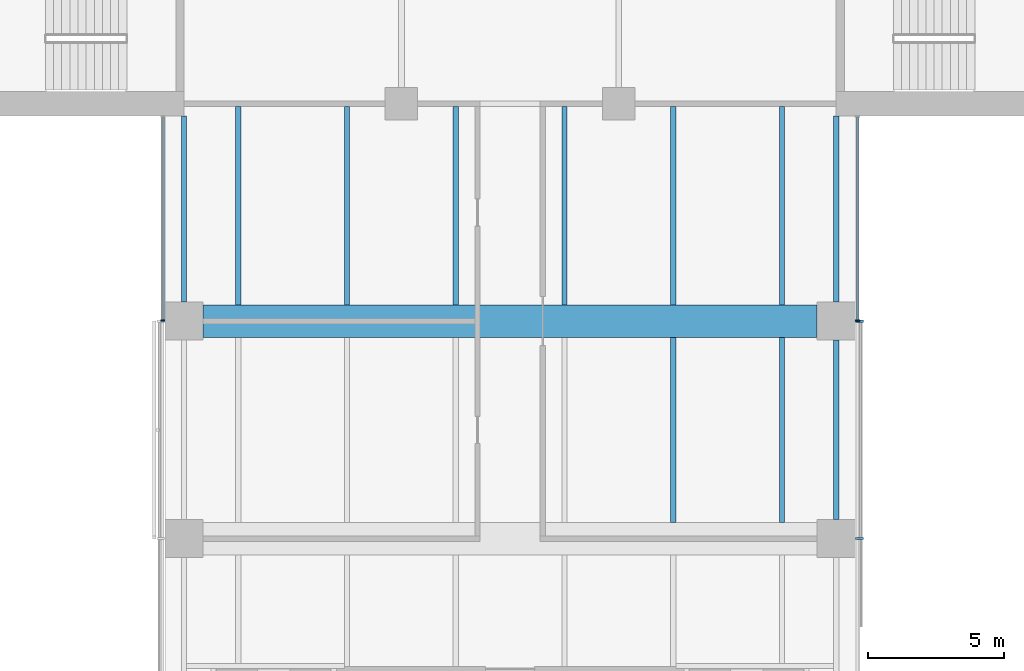
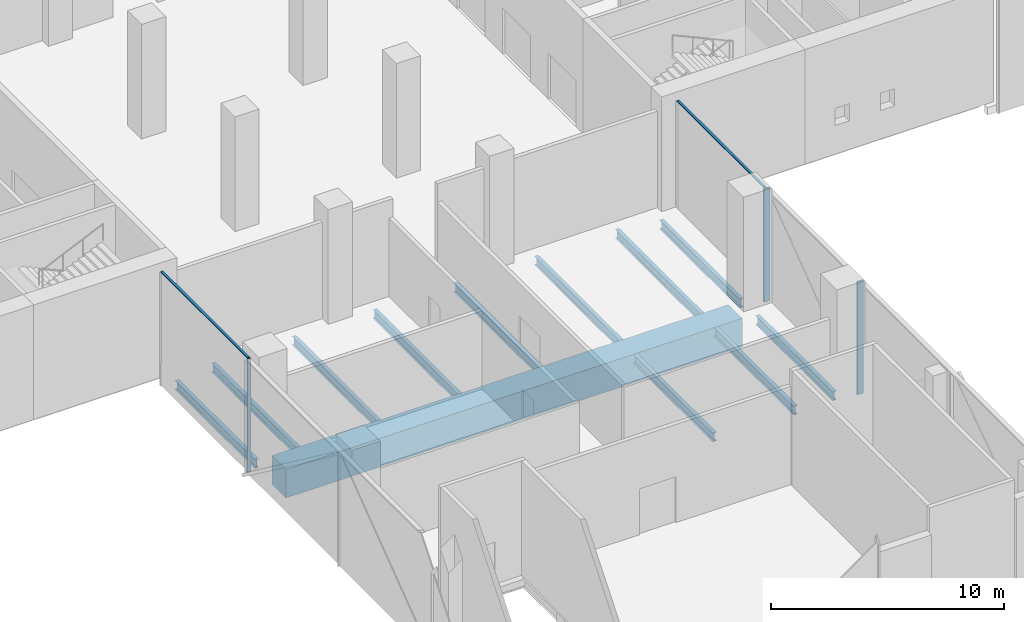
# One storey, part 3 of 23: 12 beams, 6 members, 3 elements without a shape of their own.
"""IFC4 building model written with IfcOpenShell, lengths in metres."""

from ifc_helpers import new_model, si_unit, direction, frame, origin, origin_2d, place, context, subcontext, project, spatial, rectangle, i_section, extrude, material, material_profile, profile_set, type_object, element, aggregate, save


model = new_model("IFC4")

# Units and contexts
model_context = context("Model", 3, precision=1e-05, world=origin(), true_north=direction((0.0, 1.0)))
body_context = subcontext(model_context, "Body", "Model", "MODEL_VIEW")
ifc_project = project(units=[si_unit("LENGTHUNIT", "METRE"), si_unit("AREAUNIT", "SQUARE_METRE"), si_unit("VOLUMEUNIT", "CUBIC_METRE"), si_unit("PLANEANGLEUNIT", "RADIAN"), si_unit("MASSUNIT", "GRAM", prefix="KILO")], contexts=[model_context])

# Site, building, storey
site_placement = place(None, origin())
site = spatial("IfcSite", under=ifc_project, at=site_placement, CompositionType="ELEMENT")
building_placement = place(site_placement, origin())
building = spatial("IfcBuilding", under=site, at=building_placement, Name="Crosswind Convention Tower", CompositionType="ELEMENT")
storey_placement = place(building_placement, frame((0.0, 0.0, 41.5)))
storey = spatial("IfcBuildingStorey", under=building, at=storey_placement, Name="L05", CompositionType="ELEMENT", Elevation=41.5)

# Beams
ifc_material_1 = material(Name="Steel S355", Category="steel")
ifc_material_profile_1 = material_profile(ifc_material_1, i_section(OverallWidth=0.19287109375, OverallDepth=0.467529296875, WebThickness=0.011474609375, FlangeThickness=0.01953125, FilletRadius=0.01025390625, at=origin_2d()), Name="UB 457x191x98")
ifc_profile_set_1 = profile_set([ifc_material_profile_1], Name="Steel S355")
beam_type_1 = type_object("IfcBeamType", Name="Edge beam UB 457x191x98", PredefinedType="SPANDREL", material=ifc_profile_set_1)
beam_1_placement = place(storey_placement, frame((113.0, 80.699951171875, -0.6337890625), z_axis=(0.0, 1.0, 0.0), x_axis=(-1.0, 0.0, 0.0)))
element("IfcBeam", 1, at=beam_1_placement, inside=storey, type_object=beam_type_1, Name="B20 L05 edge beam 8", PredefinedType="SPANDREL", context=body_context, shape_type="SweptSolid", body=[
    extrude(i_section(OverallWidth=0.19287109375, OverallDepth=0.467529296875, WebThickness=0.011474609375, FlangeThickness=0.01953125, FilletRadius=0.01025390625, at=origin_2d()), origin(), (0.0, 0.0, 1.0), 6.85009765625),
])
beam_2_placement = place(storey_placement, frame((137.0, 72.699951171875, -0.6337890625), z_axis=(0.0, 1.0, 0.0), x_axis=(-1.0, 0.0, 0.0)))
element("IfcBeam", 2, at=beam_2_placement, inside=storey, type_object=beam_type_1, Name="B20 L05 edge beam 15", PredefinedType="SPANDREL", context=body_context, shape_type="SweptSolid", body=[
    extrude(i_section(OverallWidth=0.19287109375, OverallDepth=0.467529296875, WebThickness=0.011474609375, FlangeThickness=0.01953125, FilletRadius=0.01025390625, at=origin_2d()), origin(), (0.0, 0.0, 1.0), 6.60009765625),
])
beam_3_placement = place(storey_placement, frame((137.0, 80.699951171875, -0.6337890625), z_axis=(0.0, 1.0, 0.0), x_axis=(-1.0, 0.0, 0.0)))
element("IfcBeam", 3, at=beam_3_placement, inside=storey, type_object=beam_type_1, Name="B20 L05 edge beam 16", PredefinedType="SPANDREL", context=body_context, shape_type="SweptSolid", body=[
    extrude(i_section(OverallWidth=0.19287109375, OverallDepth=0.467529296875, WebThickness=0.011474609375, FlangeThickness=0.01953125, FilletRadius=0.01025390625, at=origin_2d()), origin(), (0.0, 0.0, 1.0), 6.85009765625),
])

# Curtain wall, member
ifc_material_2 = material(Name="Aluminium unitised curtain wall", Category="aluminium")
curtain_wall_type_1 = type_object("IfcCurtainWallType", Name="CORE END SLOT WALL 160", PredefinedType="USERDEFINED", material=ifc_material_2)
curtain_wall_1_placement = place(storey_placement, origin())
curtain_wall_1 = element("IfcCurtainWall", 4, at=curtain_wall_1_placement, inside=storey, type_object=curtain_wall_type_1, Name="CW6 L05 S-W.1-1 slot", ObjectType="UNITISED", PredefinedType="USERDEFINED")
ifc_material_3 = material(Name="Aluminium mullion", Category="aluminium")
ifc_material_profile_2 = material_profile(ifc_material_3, rectangle(XDim=0.159912109375, YDim=0.050048828125, at=origin_2d()), Name="AL 160X50")
ifc_profile_set_2 = profile_set([ifc_material_profile_2], Name="Aluminium mullion")
member_type_1 = type_object("IfcMemberType", Name="MULLION 50X160", PredefinedType="MULLION", material=ifc_profile_set_2)
member_1_placement = place(storey_placement, frame((112.219970703125, 80.02490234375, -0.39990234375), z_axis=(0.0, 0.0, 1.0), x_axis=(-1.0, 0.0, 0.0)))
member_1 = element("IfcMember", 5, at=member_1_placement, type_object=member_type_1, Name="CW6 mullion 2", PredefinedType="MULLION", context=body_context, shape_type="SweptSolid", body=[
    extrude(rectangle(XDim=0.159912109375, YDim=0.050048828125, at=origin_2d()), origin(), (0.0, 0.0, 1.0), 5.949951171875),
])

curtain_wall_2_placement = place(storey_placement, origin())
curtain_wall_2 = element("IfcCurtainWall", 6, at=curtain_wall_2_placement, inside=storey, type_object=curtain_wall_type_1, Name="CW6 L05 S-E.1-4 slot", ObjectType="UNITISED", PredefinedType="USERDEFINED")
member_2_placement = place(storey_placement, frame((137.780029296875, 80.02490234375, -0.39990234375), z_axis=(0.0, 0.0, 1.0), x_axis=(1.0, 0.0, 0.0)))
member_2 = element("IfcMember", 7, at=member_2_placement, type_object=member_type_1, Name="CW6 mullion 1", PredefinedType="MULLION", context=body_context, shape_type="SweptSolid", body=[
    extrude(rectangle(XDim=0.159912109375, YDim=0.050048828125, at=origin_2d()), origin(), (0.0, 0.0, 1.0), 5.949951171875),
])

# Curtain wall, members
curtain_wall_type_2 = type_object("IfcCurtainWallType", Name="PODIUM UNITISED WALL 300", PredefinedType="USERDEFINED", material=ifc_material_2)
curtain_wall_3_placement = place(storey_placement, origin())
curtain_wall_3 = element("IfcCurtainWall", 8, at=curtain_wall_3_placement, inside=storey, type_object=curtain_wall_type_2, Name="CW1 L05 S-E 1", ObjectType="UNITISED", PredefinedType="USERDEFINED")
ifc_material_profile_3 = material_profile(ifc_material_3, rectangle(XDim=0.300048828125, YDim=0.080078125, at=origin_2d()), Name="AL 300X80")
ifc_profile_set_3 = profile_set([ifc_material_profile_3], Name="Aluminium mullion")
member_type_2 = type_object("IfcMemberType", Name="MULLION 80X300", PredefinedType="MULLION", material=ifc_profile_set_3)
member_3_placement = place(storey_placement, frame((137.85009765625, 72.0, -0.39990234375), z_axis=(0.0, 0.0, 1.0), x_axis=(1.0, 0.0, 0.0)))
member_3 = element("IfcMember", 9, at=member_3_placement, type_object=member_type_2, Name="CW1 mullion 3", PredefinedType="MULLION", context=body_context, shape_type="SweptSolid", body=[
    extrude(rectangle(XDim=0.300048828125, YDim=0.080078125, at=origin_2d()), origin(), (0.0, 0.0, 1.0), 5.919921875),
])
member_4_placement = place(storey_placement, frame((137.85009765625, 80.0, -0.39990234375), z_axis=(0.0, 0.0, 1.0), x_axis=(1.0, 0.0, 0.0)))
member_4 = element("IfcMember", 10, at=member_4_placement, type_object=member_type_2, Name="CW1 mullion 4", PredefinedType="MULLION", context=body_context, shape_type="SweptSolid", body=[
    extrude(rectangle(XDim=0.300048828125, YDim=0.080078125, at=origin_2d()), origin(), (0.0, 0.0, 1.0), 5.919921875),
])
aggregate(curtain_wall_3, [member_3, member_4])

# Beams
ifc_material_4 = material(Name="Concrete C70/85", Category="concrete")
ifc_material_profile_4 = material_profile(ifc_material_4, rectangle(XDim=1.199951171875, YDim=1.5, at=origin_2d()), Name="RC 1200X1500")
ifc_profile_set_4 = profile_set([ifc_material_profile_4], Name="Concrete C70/85")
beam_type_2 = type_object("IfcBeamType", Name="Prestressed concrete girder RC 1200X1500", PredefinedType="BEAM", material=ifc_profile_set_4)
beam_4_placement = place(storey_placement, frame((113.699951171875, 80.0, -1.14990234375), z_axis=(1.0, 0.0, 0.0), x_axis=(0.0, 1.0, 0.0)))
element("IfcBeam", 11, at=beam_4_placement, inside=storey, type_object=beam_type_2, Name="B39 L05 prestressed concrete girder 2", PredefinedType="BEAM", context=body_context, shape_type="SweptSolid", body=[
    extrude(rectangle(XDim=1.199951171875, YDim=1.5, at=origin_2d()), origin(), (0.0, 0.0, 1.0), 22.60009765625),
])
ifc_material_profile_5 = material_profile(ifc_material_1, i_section(OverallWidth=0.19140625, OverallDepth=0.460205078125, WebThickness=0.010009765625, FlangeThickness=0.01611328125, FilletRadius=0.01025390625, at=origin_2d()), Name="UB 457x191x82")
ifc_profile_set_5 = profile_set([ifc_material_profile_5], Name="Steel S355")
beam_type_3 = type_object("IfcBeamType", Name="Secondary beam UB 457x191x82", PredefinedType="JOIST", material=ifc_profile_set_5)
for number, where, z_axis, x_axis, name in (
    (12, (115.0, 80.60009765625, -0.630126953125), (0.0, 1.0, 0.0), (-1.0, 0.0, 0.0), "B13 L05 secondary beam 16"),
    (13, (119.0, 80.60009765625, -0.630126953125), (0.0, 1.0, 0.0), (-1.0, 0.0, 0.0), "B13 L05 secondary beam 23"),
):
    element("IfcBeam", number, at=place(storey_placement, frame(where, z_axis=z_axis, x_axis=x_axis)), inside=storey, type_object=beam_type_3, Name=name, PredefinedType="JOIST", context=body_context, shape_type="SweptSolid", body=[
        extrude(i_section(OverallWidth=0.19140625, OverallDepth=0.460205078125, WebThickness=0.010009765625, FlangeThickness=0.01611328125, FilletRadius=0.01025390625, at=origin_2d()), origin(), (0.0, 0.0, 1.0), 7.29296875),
    ])
for number, where, z_axis, x_axis, name in (
    (14, (123.0, 80.60009765625, -0.630126953125), (0.0, 1.0, 0.0), (-1.0, 0.0, 0.0), "B13 L05 secondary beam 34"),
    (15, (127.0, 80.60009765625, -0.630126953125), (0.0, 1.0, 0.0), (-1.0, 0.0, 0.0), "B13 L05 secondary beam 42"),
):
    element("IfcBeam", number, at=place(storey_placement, frame(where, z_axis=z_axis, x_axis=x_axis)), inside=storey, type_object=beam_type_3, Name=name, PredefinedType="JOIST", context=body_context, shape_type="SweptSolid", body=[
        extrude(i_section(OverallWidth=0.19140625, OverallDepth=0.460205078125, WebThickness=0.010009765625, FlangeThickness=0.01611328125, FilletRadius=0.01025390625, at=origin_2d()), origin(), (0.0, 0.0, 1.0), 7.2939453125),
    ])
beam_5_placement = place(storey_placement, frame((131.0, 72.60009765625, -0.630126953125), z_axis=(0.0, 1.0, 0.0), x_axis=(-1.0, 0.0, 0.0)))
element("IfcBeam", 16, at=beam_5_placement, inside=storey, type_object=beam_type_3, Name="B13 L05 secondary beam 52", PredefinedType="JOIST", context=body_context, shape_type="SweptSolid", body=[
    extrude(i_section(OverallWidth=0.19140625, OverallDepth=0.460205078125, WebThickness=0.010009765625, FlangeThickness=0.01611328125, FilletRadius=0.01025390625, at=origin_2d()), origin(), (0.0, 0.0, 1.0), 6.7998046875),
])
beam_6_placement = place(storey_placement, frame((131.0, 80.60009765625, -0.630126953125), z_axis=(0.0, 1.0, 0.0), x_axis=(-1.0, 0.0, 0.0)))
element("IfcBeam", 17, at=beam_6_placement, inside=storey, type_object=beam_type_3, Name="B13 L05 secondary beam 53", PredefinedType="JOIST", context=body_context, shape_type="SweptSolid", body=[
    extrude(i_section(OverallWidth=0.19140625, OverallDepth=0.460205078125, WebThickness=0.010009765625, FlangeThickness=0.01611328125, FilletRadius=0.01025390625, at=origin_2d()), origin(), (0.0, 0.0, 1.0), 7.29296875),
])
beam_7_placement = place(storey_placement, frame((135.0, 72.60009765625, -0.630126953125), z_axis=(0.0, 1.0, 0.0), x_axis=(-1.0, 0.0, 0.0)))
element("IfcBeam", 18, at=beam_7_placement, inside=storey, type_object=beam_type_3, Name="B13 L05 secondary beam 59", PredefinedType="JOIST", context=body_context, shape_type="SweptSolid", body=[
    extrude(i_section(OverallWidth=0.19140625, OverallDepth=0.460205078125, WebThickness=0.010009765625, FlangeThickness=0.01611328125, FilletRadius=0.01025390625, at=origin_2d()), origin(), (0.0, 0.0, 1.0), 6.7998046875),
])
beam_8_placement = place(storey_placement, frame((135.0, 80.60009765625, -0.630126953125), z_axis=(0.0, 1.0, 0.0), x_axis=(-1.0, 0.0, 0.0)))
element("IfcBeam", 19, at=beam_8_placement, inside=storey, type_object=beam_type_3, Name="B13 L05 secondary beam 60", PredefinedType="JOIST", context=body_context, shape_type="SweptSolid", body=[
    extrude(i_section(OverallWidth=0.19140625, OverallDepth=0.460205078125, WebThickness=0.010009765625, FlangeThickness=0.01611328125, FilletRadius=0.01025390625, at=origin_2d()), origin(), (0.0, 0.0, 1.0), 7.29296875),
])

# Member
ifc_material_5 = material(Name="Aluminium transom", Category="aluminium")
ifc_material_profile_6 = material_profile(ifc_material_5, rectangle(XDim=0.1201171875, YDim=0.050048828125, at=origin_2d()), Name="AL 120X50")
ifc_profile_set_6 = profile_set([ifc_material_profile_6], Name="Aluminium transom")
member_type_3 = type_object("IfcMemberType", Name="TRANSOM 50X120", PredefinedType="USERDEFINED", material=ifc_profile_set_6)
member_5_placement = place(storey_placement, frame((112.219970703125, 87.5, 5.574951171875), z_axis=(0.0, -1.0, 0.0), x_axis=(1.0, 0.0, 0.0)))
member_5 = element("IfcMember", 20, at=member_5_placement, type_object=member_type_3, Name="CW6 transom", ObjectType="TRANSOM", PredefinedType="USERDEFINED", context=body_context, shape_type="SweptSolid", body=[
    extrude(rectangle(XDim=0.1201171875, YDim=0.050048828125, at=origin_2d()), origin(), (0.0, 0.0, 1.0), 7.449951171875),
])

aggregate(curtain_wall_1, [member_1, member_5])

member_6_placement = place(storey_placement, frame((137.780029296875, 80.050048828125, 5.574951171875), z_axis=(0.0, 1.0, 0.0), x_axis=(-1.0, 0.0, 0.0)))
member_6 = element("IfcMember", 21, at=member_6_placement, type_object=member_type_3, Name="CW6 transom", ObjectType="TRANSOM", PredefinedType="USERDEFINED", context=body_context, shape_type="SweptSolid", body=[
    extrude(rectangle(XDim=0.1201171875, YDim=0.050048828125, at=origin_2d()), origin(), (0.0, 0.0, 1.0), 7.449951171875),
])

aggregate(curtain_wall_2, [member_2, member_6])

save(model, "model.ifc")
